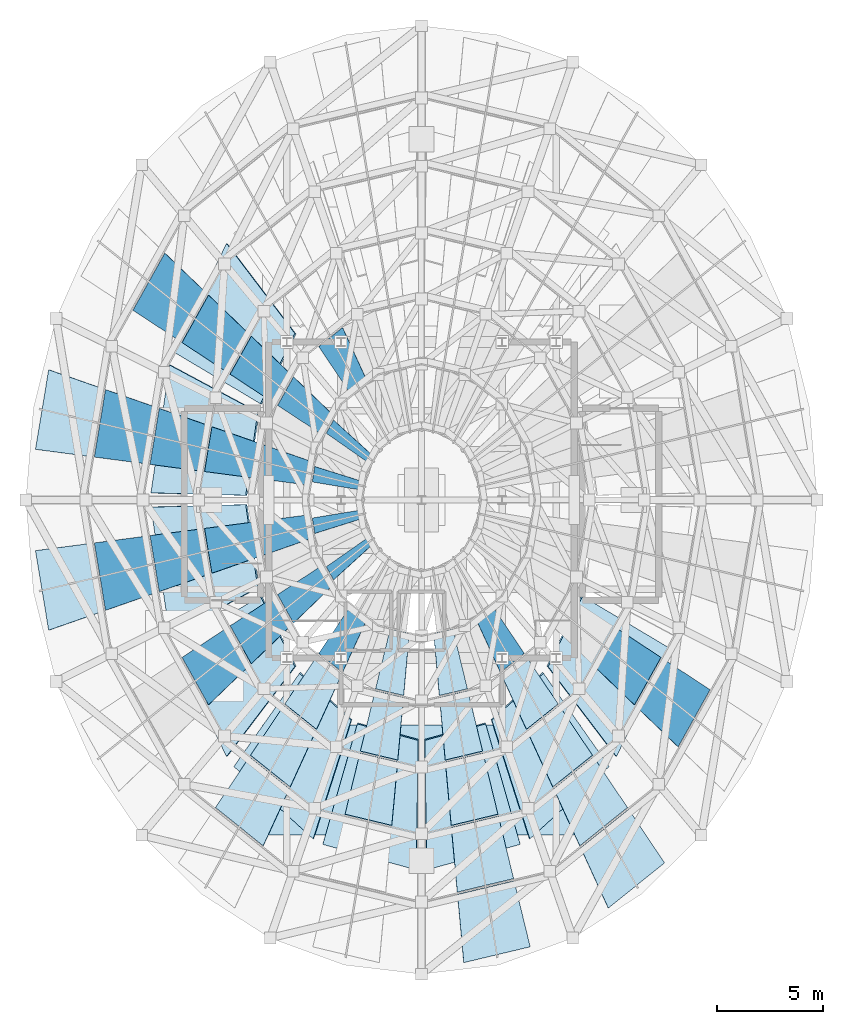
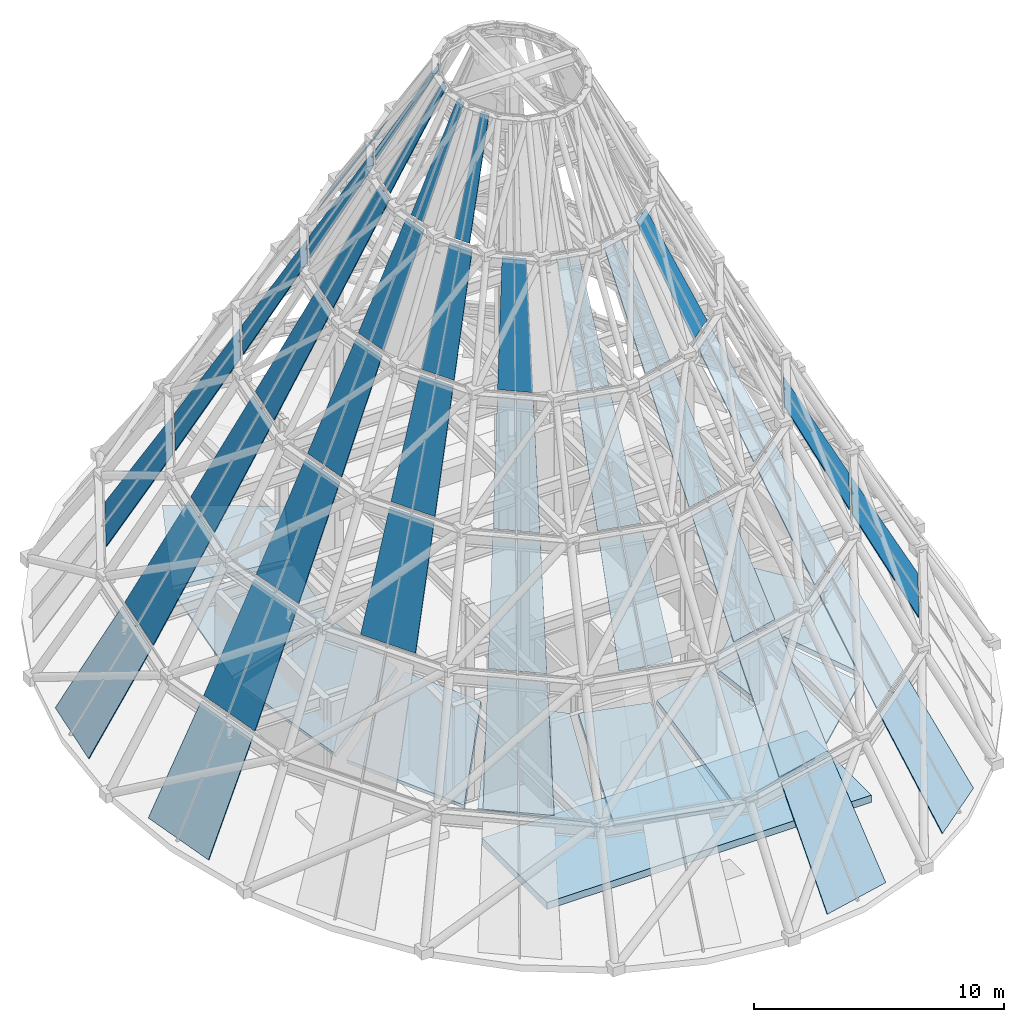
# One storey, part 11 of 16: 41 plates, 10 slabs, 6 elements without a shape of their own.
"""IFC4 building model written with IfcOpenShell, lengths in metres."""

from ifc_helpers import new_model, si_unit, direction, frame, origin, place, context, subcontext, project, spatial, polyline, outline, extrude, material, layer, layer_set, type_object, element, aggregate, save


model = new_model("IFC4")

# Units and contexts
model_context = context("Model", 3, precision=1e-05, world=origin(), true_north=direction((0.0, 1.0)))
body_context = subcontext(model_context, "Body", "Model", "MODEL_VIEW")
ifc_project = project(units=[si_unit("LENGTHUNIT", "METRE"), si_unit("AREAUNIT", "SQUARE_METRE"), si_unit("VOLUMEUNIT", "CUBIC_METRE"), si_unit("PLANEANGLEUNIT", "RADIAN"), si_unit("MASSUNIT", "GRAM", prefix="KILO")], contexts=[model_context])

# Site, building, storey
site_placement = place(None, origin())
site = spatial("IfcSite", under=ifc_project, at=site_placement, CompositionType="ELEMENT")
building_placement = place(site_placement, origin())
building = spatial("IfcBuilding", under=site, at=building_placement, Name="Veldorina Hangang Commons", CompositionType="ELEMENT")
storey_placement = place(building_placement, frame((0.0, 0.0, 308.39990234375)))
storey = spatial("IfcBuildingStorey", under=building, at=storey_placement, Name="Crown", CompositionType="ELEMENT", Elevation=308.39990234375)

# Curtain wall, plates
ifc_material_1 = material(Name="Glass Low-Iron Laminated", Category="glass")
ifc_layer_1 = layer(ifc_material_1, 0.179931640625)
ifc_layer_set_1 = layer_set([ifc_layer_1], Name="Glass Low-Iron Laminated")
curtain_wall_type = type_object("IfcCurtainWallType", Name="CW-SYS-CRN", PredefinedType="NOTDEFINED", material=ifc_layer_set_1)
curtain_wall_1_placement = place(storey_placement, origin())
curtain_wall_1 = element("IfcCurtainWall", 1, at=curtain_wall_1_placement, inside=storey, type_object=curtain_wall_type, Name="Crown glass-point sloped pyramidal curtain wall tier 1", PredefinedType="NOTDEFINED")
ifc_layer_2 = layer(ifc_material_1, 0.035888671875)
ifc_layer_set_2 = layer_set([ifc_layer_2], Name="Glass Low-Iron Laminated")
plate_type = type_object("IfcPlateType", Name="CW-PNL-CRN", PredefinedType="CURTAIN_PANEL", material=ifc_layer_set_2)
plate_1_placement = place(storey_placement, frame((14.42578125, 30.139404296875, 0.09619140625), z_axis=(-0.852111766487, 0.141445228099, 0.503883701723), x_axis=(-0.16375582148, -0.986500902639, -4.79698e-06)))
plate_1 = element("IfcPlate", 2, at=plate_1_placement, type_object=plate_type, Name="CW-CRN-T1 sloped laminated glass facet 8", PredefinedType="CURTAIN_PANEL", context=body_context, shape_type="SweptSolid", body=[
    extrude(outline(polyline([(0.0, 0.0), (3.802978515625, 0.0), (3.711669921875, 5.334716796875), (0.4658203125, 5.334716796875), (0.0, 0.0)])), origin(), (0.0, 0.0, -1.0), 0.035888671875),
])
plate_2_placement = place(storey_placement, frame((13.802978515625, 21.6123046875, 0.09619140625), z_axis=(-0.852111766487, -0.141445228099, 0.503883701723), x_axis=(0.16375582148, -0.986500902639, 4.79698e-06)))
plate_2 = element("IfcPlate", 3, at=plate_2_placement, type_object=plate_type, Name="CW-CRN-T1 sloped laminated glass facet 9", PredefinedType="CURTAIN_PANEL", context=body_context, shape_type="SweptSolid", body=[
    extrude(outline(polyline([(0.0, 0.0), (3.802978515625, 0.0), (3.33740234375, 5.334716796875), (0.09130859375, 5.334716796875), (0.0, 0.0)])), origin(), (0.0, 0.0, -1.0), 0.035888671875),
])
plate_3_placement = place(storey_placement, frame((33.9921875, 2.19287109375, 0.09619140625), z_axis=(0.19088125261, -0.800892584871, 0.567569744526), x_axis=(0.972750279319, 0.231855329204, 2.0124626e-05)))
plate_3 = element("IfcPlate", 4, at=plate_3_placement, type_object=plate_type, Name="CW-CRN-T1 sloped laminated glass facet 13", PredefinedType="CURTAIN_PANEL", context=body_context, shape_type="SweptSolid", body=[
    extrude(outline(polyline([(0.0, 0.0), (3.218505859375, 0.0), (3.2041015625, 5.5966796875), (0.45703125, 5.5966796875), (0.0, 0.0)])), origin(), (0.0, 0.0, -1.0), 0.035888671875),
])
plate_4_placement = place(storey_placement, frame((40.80419921875, 4.7666015625, 0.09619140625), z_axis=(0.523450971717, -0.653737869914, 0.546466721447), x_axis=(0.780603142251, 0.625026986828, -6.701832e-06)))
plate_4 = element("IfcPlate", 5, at=plate_4_placement, type_object=plate_type, Name="CW-CRN-T1 sloped laminated glass facet 14", PredefinedType="CURTAIN_PANEL", context=body_context, shape_type="SweptSolid", body=[
    extrude(outline(polyline([(0.0, 0.0), (3.400390625, 0.0), (3.656494140625, 5.502197265625), (0.75439453125, 5.502197265625), (0.0, 0.0)])), origin(), (0.0, 0.0, -1.0), 0.035888671875),
])
aggregate(curtain_wall_1, [plate_1, plate_2, plate_3, plate_4])

curtain_wall_2_placement = place(storey_placement, origin())
curtain_wall_2 = element("IfcCurtainWall", 6, at=curtain_wall_2_placement, inside=storey, type_object=curtain_wall_type, Name="Crown glass-point sloped pyramidal curtain wall tier 2", PredefinedType="NOTDEFINED")
plate_5_placement = place(storey_placement, frame((19.90087890625, 35.6376953125, 4.89599609375), z_axis=(-0.756870414243, 0.422013951937, 0.499050498862), x_axis=(-0.486988648974, -0.873408298409, 6.386499e-06)))
plate_5 = element("IfcPlate", 7, at=plate_5_placement, type_object=plate_type, Name="CW-CRN-T2 sloped laminated glass facet 7", PredefinedType="CURTAIN_PANEL", context=body_context, shape_type="SweptSolid", body=[
    extrude(outline(polyline([(0.0, 0.0), (3.086181640625, 0.0), (3.280029296875, 5.317626953125), (0.698486328125, 5.317626953125), (0.0, 0.0)])), origin(), (0.0, 0.0, -1.0), 0.035888671875),
])
plate_6_placement = place(storey_placement, frame((17.105712890625, 29.203125, 4.89599609375), z_axis=(-0.86387201176, 0.143376751116, 0.482874988519), x_axis=(-0.163737175762, -0.986503997512, -1.2892155e-05)))
plate_6 = element("IfcPlate", 8, at=plate_6_placement, type_object=plate_type, Name="CW-CRN-T2 sloped laminated glass facet 8", PredefinedType="CURTAIN_PANEL", context=body_context, shape_type="SweptSolid", body=[
    extrude(outline(polyline([(0.0, 0.0), (3.22314453125, 0.0), (3.13671875, 5.262451171875), (0.440185546875, 5.26220703125), (0.0, 0.0)])), origin(), (0.0, 0.0, -1.0), 0.035888671875),
])
plate_7_placement = place(storey_placement, frame((16.577880859375, 21.9765625, 4.89599609375), z_axis=(-0.86387201176, -0.143376751116, 0.482874988519), x_axis=(0.163737175762, -0.986503997512, 1.2892155e-05)))
plate_7 = element("IfcPlate", 9, at=plate_7_placement, type_object=plate_type, Name="CW-CRN-T2 sloped laminated glass facet 9", PredefinedType="CURTAIN_PANEL", context=body_context, shape_type="SweptSolid", body=[
    extrude(outline(polyline([(0.0, 0.0), (3.22314453125, 0.0), (2.782958984375, 5.26220703125), (0.08642578125, 5.262451171875), (0.0, 0.0)])), origin(), (0.0, 0.0, -1.0), 0.035888671875),
])
plate_8_placement = place(storey_placement, frame((22.288818359375, 9.500732421875, 4.89599609375), z_axis=(-0.531988143177, -0.664376631649, 0.524968862732), x_axis=(0.780589159921, -0.625044449149, -1.42482e-06)))
plate_8 = element("IfcPlate", 10, at=plate_8_placement, type_object=plate_type, Name="CW-CRN-T2 sloped laminated glass facet 11", PredefinedType="CURTAIN_PANEL", context=body_context, shape_type="SweptSolid", body=[
    extrude(outline(polyline([(0.0, 0.0), (2.8818359375, 0.0), (2.16845703125, 5.414306640625), (-0.242431640625, 5.414306640625), (0.0, 0.0)])), origin(), (0.0, 0.0, -1.0), 0.035888671875),
])
plate_9_placement = place(storey_placement, frame((33.6884765625, 5.518310546875, 4.89599609375), z_axis=(0.194323465566, -0.814982569707, 0.545932048705), x_axis=(0.972732985938, 0.23192787213, -1.4052451e-05)))
plate_9 = element("IfcPlate", 11, at=plate_9_placement, type_object=plate_type, Name="CW-CRN-T2 sloped laminated glass facet 13", PredefinedType="CURTAIN_PANEL", context=body_context, shape_type="SweptSolid", body=[
    extrude(outline(polyline([(0.0, 0.0), (2.727783203125, 0.0), (2.7138671875, 5.500244140625), (0.43212890625, 5.5), (0.0, 0.0)])), origin(), (0.0, 0.0, -1.0), 0.035888671875),
])
plate_10_placement = place(storey_placement, frame((39.461669921875, 7.699462890625, 4.89599609375), z_axis=(0.531988143177, -0.664376631649, 0.524968862732), x_axis=(0.780589159921, 0.625044449149, 1.42482e-06)))
plate_10 = element("IfcPlate", 12, at=plate_10_placement, type_object=plate_type, Name="CW-CRN-T2 sloped laminated glass facet 14", PredefinedType="CURTAIN_PANEL", context=body_context, shape_type="SweptSolid", body=[
    extrude(outline(polyline([(0.0, 0.0), (2.8818359375, 0.0), (3.1240234375, 5.414306640625), (0.71337890625, 5.414306640625), (0.0, 0.0)])), origin(), (0.0, 0.0, -1.0), 0.035888671875),
])
plate_11_placement = place(storey_placement, frame((44.09912109375, 12.3623046875, 4.89599609375), z_axis=(0.756870414243, -0.422013951937, 0.499050498862), x_axis=(0.486988648974, 0.873408298409, 6.386499e-06)))
plate_11 = element("IfcPlate", 13, at=plate_11_placement, type_object=plate_type, Name="CW-CRN-T2 sloped laminated glass facet 15", PredefinedType="CURTAIN_PANEL", context=body_context, shape_type="SweptSolid", body=[
    extrude(outline(polyline([(0.0, 0.0), (3.086181640625, 0.0), (3.280029296875, 5.317626953125), (0.698486328125, 5.317626953125), (0.0, 0.0)])), origin(), (0.0, 0.0, -1.0), 0.035888671875),
])
aggregate(curtain_wall_2, [plate_5, plate_6, plate_7, plate_8, plate_9, plate_10, plate_11])

curtain_wall_3_placement = place(storey_placement, origin())
curtain_wall_3 = element("IfcCurtainWall", 14, at=curtain_wall_3_placement, inside=storey, type_object=curtain_wall_type, Name="Crown glass-point sloped pyramidal curtain wall tier 3", PredefinedType="NOTDEFINED")
plate_12_placement = place(storey_placement, frame((21.960205078125, 33.656982421875, 9.696044921875), z_axis=(-0.760788027397, 0.424161036474, 0.491211759333), x_axis=(-0.486957862604, -0.873425463357, 2.724088e-06)))
plate_12 = element("IfcPlate", 15, at=plate_12_placement, type_object=plate_type, Name="CW-CRN-T3 sloped laminated glass facet 7", PredefinedType="CURTAIN_PANEL", context=body_context, shape_type="SweptSolid", body=[
    extrude(outline(polyline([(0.0, 0.0), (2.56103515625, 0.0), (2.7509765625, 5.290283203125), (0.683837890625, 5.29052734375), (0.0, 0.0)])), origin(), (0.0, 0.0, -1.0), 0.035888671875),
])
plate_13_placement = place(storey_placement, frame((19.640869140625, 28.317626953125, 9.696044921875), z_axis=(-0.868037690478, 0.144102524068, 0.47512633106), x_axis=(-0.163766902225, -0.986499063218, 2.444437e-06)))
plate_13 = element("IfcPlate", 16, at=plate_13_placement, type_object=plate_type, Name="CW-CRN-T3 sloped laminated glass facet 8", PredefinedType="CURTAIN_PANEL", context=body_context, shape_type="SweptSolid", body=[
    extrude(outline(polyline([(0.0, 0.0), (2.674560546875, 0.0), (2.58984375, 5.237060546875), (0.431396484375, 5.237060546875), (0.0, 0.0)])), origin(), (0.0, 0.0, -1.0), 0.035888671875),
])
plate_14_placement = place(storey_placement, frame((19.202880859375, 22.32080078125, 9.696044921875), z_axis=(-0.868037690478, -0.144102524068, 0.47512633106), x_axis=(0.163766902225, -0.986499063218, -2.444437e-06)))
plate_14 = element("IfcPlate", 17, at=plate_14_placement, type_object=plate_type, Name="CW-CRN-T3 sloped laminated glass facet 9", PredefinedType="CURTAIN_PANEL", context=body_context, shape_type="SweptSolid", body=[
    extrude(outline(polyline([(0.0, 0.0), (2.674560546875, 0.0), (2.2431640625, 5.237060546875), (0.084716796875, 5.237060546875), (0.0, 0.0)])), origin(), (0.0, 0.0, -1.0), 0.035888671875),
])
plate_15_placement = place(storey_placement, frame((20.713134765625, 16.579833984375, 9.696044921875), z_axis=(-0.760788027397, -0.424161036474, 0.491211759333), x_axis=(0.486957862604, -0.873425463357, -2.724088e-06)))
plate_15 = element("IfcPlate", 18, at=plate_15_placement, type_object=plate_type, Name="CW-CRN-T3 sloped laminated glass facet 10", PredefinedType="CURTAIN_PANEL", context=body_context, shape_type="SweptSolid", body=[
    extrude(outline(polyline([(0.0, 0.0), (2.56103515625, 0.0), (1.876953125, 5.29052734375), (-0.18994140625, 5.290283203125), (0.0, 0.0)])), origin(), (0.0, 0.0, -1.0), 0.035888671875),
])
plate_16_placement = place(storey_placement, frame((23.94189453125, 11.968505859375, 9.696044921875), z_axis=(-0.535002377224, -0.668196785729, 0.516996626591), x_axis=(0.780603073659, -0.625027071706, -3.2070288e-05)))
plate_16 = element("IfcPlate", 19, at=plate_16_placement, type_object=plate_type, Name="CW-CRN-T3 sloped laminated glass facet 11", PredefinedType="CURTAIN_PANEL", context=body_context, shape_type="SweptSolid", body=[
    extrude(outline(polyline([(0.0, 0.0), (2.39111328125, 0.0), (1.6923828125, 5.383544921875), (-0.237548828125, 5.38330078125), (0.0, 0.0)])), origin(), (0.0, 0.0, -1.0), 0.035888671875),
])
plate_17_placement = place(storey_placement, frame((28.397216796875, 9.188720703125, 9.696044921875), z_axis=(-0.195447476594, -0.820034005811, 0.537907532208), x_axis=(0.972754896713, -0.231835956301, 1.695825e-05)))
plate_17 = element("IfcPlate", 20, at=plate_17_placement, type_object=plate_type, Name="CW-CRN-T3 sloped laminated glass facet 12", PredefinedType="CURTAIN_PANEL", context=body_context, shape_type="SweptSolid", body=[
    extrude(outline(polyline([(0.0, 0.0), (2.263427734375, 0.0), (1.840576171875, 5.46630859375), (0.013916015625, 5.46630859375), (0.0, 0.0)])), origin(), (0.0, 0.0, -1.0), 0.035888671875),
])
plate_18_placement = place(storey_placement, frame((33.401123046875, 8.6640625, 9.696044921875), z_axis=(0.195447476594, -0.820034005811, 0.537907532208), x_axis=(0.972754896713, 0.231835956301, -1.695825e-05)))
plate_18 = element("IfcPlate", 21, at=plate_18_placement, type_object=plate_type, Name="CW-CRN-T3 sloped laminated glass facet 13", PredefinedType="CURTAIN_PANEL", context=body_context, shape_type="SweptSolid", body=[
    extrude(outline(polyline([(0.0, 0.0), (2.263427734375, 0.0), (2.24951171875, 5.46630859375), (0.4228515625, 5.46630859375), (0.0, 0.0)])), origin(), (0.0, 0.0, -1.0), 0.035888671875),
])
plate_19_placement = place(storey_placement, frame((38.191650390625, 10.473876953125, 9.696044921875), z_axis=(0.535002377224, -0.668196785729, 0.516996626591), x_axis=(0.780603073659, 0.625027071706, 3.2070288e-05)))
plate_19 = element("IfcPlate", 22, at=plate_19_placement, type_object=plate_type, Name="CW-CRN-T3 sloped laminated glass facet 14", PredefinedType="CURTAIN_PANEL", context=body_context, shape_type="SweptSolid", body=[
    extrude(outline(polyline([(0.0, 0.0), (2.39111328125, 0.0), (2.628662109375, 5.38330078125), (0.69873046875, 5.383544921875), (0.0, 0.0)])), origin(), (0.0, 0.0, -1.0), 0.035888671875),
])
plate_20_placement = place(storey_placement, frame((42.039794921875, 14.343017578125, 9.696044921875), z_axis=(0.760788027397, -0.424161036474, 0.491211759333), x_axis=(0.486957862604, 0.873425463357, 2.724088e-06)))
plate_20 = element("IfcPlate", 23, at=plate_20_placement, type_object=plate_type, Name="CW-CRN-T3 sloped laminated glass facet 15", PredefinedType="CURTAIN_PANEL", context=body_context, shape_type="SweptSolid", body=[
    extrude(outline(polyline([(0.0, 0.0), (2.56103515625, 0.0), (2.7509765625, 5.290283203125), (0.683837890625, 5.29052734375), (0.0, 0.0)])), origin(), (0.0, 0.0, -1.0), 0.035888671875),
])
aggregate(curtain_wall_3, [plate_12, plate_13, plate_14, plate_15, plate_16, plate_17, plate_18, plate_19, plate_20])

curtain_wall_4_placement = place(storey_placement, origin())
curtain_wall_4 = element("IfcCurtainWall", 24, at=curtain_wall_4_placement, inside=storey, type_object=curtain_wall_type, Name="Crown glass-point sloped pyramidal curtain wall tier 4", PredefinedType="NOTDEFINED")
plate_21_placement = place(storey_placement, frame((23.97705078125, 31.717041015625, 14.49609375), z_axis=(-0.763246630185, 0.42552478793, 0.486192591849), x_axis=(-0.486949727148, -0.873429999017, 6.945371e-06)))
plate_21 = element("IfcPlate", 25, at=plate_21_placement, type_object=plate_type, Name="CW-CRN-T4 sloped laminated glass facet 7", PredefinedType="CURTAIN_PANEL", context=body_context, shape_type="SweptSolid", body=[
    extrude(outline(polyline([(0.0, 0.0), (2.046630859375, 0.0), (2.234130859375, 5.273193359375), (0.6748046875, 5.273193359375), (0.0, 0.0)])), origin(), (0.0, 0.0, -1.0), 0.035888671875),
])
plate_22_placement = place(storey_placement, frame((22.12353515625, 27.4501953125, 14.49609375), z_axis=(-0.870666217014, 0.144481611328, 0.470175927222), x_axis=(-0.163702835004, -0.986509696756, 4.216528e-06)))
plate_22 = element("IfcPlate", 26, at=plate_22_placement, type_object=plate_type, Name="CW-CRN-T4 sloped laminated glass facet 8", PredefinedType="CURTAIN_PANEL", context=body_context, shape_type="SweptSolid", body=[
    extrude(outline(polyline([(0.0, 0.0), (2.13720703125, 0.0), (2.053955078125, 5.220947265625), (0.425537109375, 5.220947265625), (0.0, 0.0)])), origin(), (0.0, 0.0, -1.0), 0.035888671875),
])
plate_23_placement = place(storey_placement, frame((21.773681640625, 22.658203125, 14.49609375), z_axis=(-0.870666217014, -0.144481611328, 0.470175927222), x_axis=(0.163702835004, -0.986509696756, -4.216528e-06)))
plate_23 = element("IfcPlate", 27, at=plate_23_placement, type_object=plate_type, Name="CW-CRN-T4 sloped laminated glass facet 9", PredefinedType="CURTAIN_PANEL", context=body_context, shape_type="SweptSolid", body=[
    extrude(outline(polyline([(0.0, 0.0), (2.13720703125, 0.0), (1.7119140625, 5.220947265625), (0.08349609375, 5.220947265625), (0.0, 0.0)])), origin(), (0.0, 0.0, -1.0), 0.035888671875),
])
plate_24_placement = place(storey_placement, frame((22.98046875, 18.070556640625, 14.49609375), z_axis=(-0.763246630185, -0.42552478793, 0.486192591849), x_axis=(0.486949727148, -0.873429999017, -6.945371e-06)))
plate_24 = element("IfcPlate", 28, at=plate_24_placement, type_object=plate_type, Name="CW-CRN-T4 sloped laminated glass facet 10", PredefinedType="CURTAIN_PANEL", context=body_context, shape_type="SweptSolid", body=[
    extrude(outline(polyline([(0.0, 0.0), (2.046630859375, 0.0), (1.371826171875, 5.273193359375), (-0.1875, 5.273193359375), (0.0, 0.0)])), origin(), (0.0, 0.0, -1.0), 0.035888671875),
])
plate_25_placement = place(storey_placement, frame((25.560546875, 14.385498046875, 14.49609375), z_axis=(-0.53694169916, -0.670569723838, 0.511888520262), x_axis=(0.780586711674, -0.625047506427, -1.6367749e-05)))
plate_25 = element("IfcPlate", 29, at=plate_25_placement, type_object=plate_type, Name="CW-CRN-T4 sloped laminated glass facet 11", PredefinedType="CURTAIN_PANEL", context=body_context, shape_type="SweptSolid", body=[
    extrude(outline(polyline([(0.0, 0.0), (1.91064453125, 0.0), (1.2216796875, 5.364013671875), (-0.234130859375, 5.364013671875), (0.0, 0.0)])), origin(), (0.0, 0.0, -1.0), 0.035888671875),
])
plate_26_placement = place(storey_placement, frame((29.12109375, 12.164306640625, 14.49609375), z_axis=(-0.19626957727, -0.823204014874, 0.532741403435), x_axis=(0.972735215517, -0.231918521206, 3.888876e-06)))
plate_26 = element("IfcPlate", 30, at=plate_26_placement, type_object=plate_type, Name="CW-CRN-T4 sloped laminated glass facet 12", PredefinedType="CURTAIN_PANEL", context=body_context, shape_type="SweptSolid", body=[
    extrude(outline(polyline([(0.0, 0.0), (1.80859375, 0.0), (1.39111328125, 5.44482421875), (0.01318359375, 5.44482421875), (0.0, 0.0)])), origin(), (0.0, 0.0, -1.0), 0.035888671875),
])
plate_27_placement = place(storey_placement, frame((33.11962890625, 11.744873046875, 14.49609375), z_axis=(0.19626957727, -0.823204014874, 0.532741403435), x_axis=(0.972735215517, 0.231918521206, -3.888876e-06)))
plate_27 = element("IfcPlate", 31, at=plate_27_placement, type_object=plate_type, Name="CW-CRN-T4 sloped laminated glass facet 13", PredefinedType="CURTAIN_PANEL", context=body_context, shape_type="SweptSolid", body=[
    extrude(outline(polyline([(0.0, 0.0), (1.80859375, 0.0), (1.79541015625, 5.44482421875), (0.41748046875, 5.44482421875), (0.0, 0.0)])), origin(), (0.0, 0.0, -1.0), 0.035888671875),
])
plate_28_placement = place(storey_placement, frame((36.947998046875, 13.191162109375, 14.49609375), z_axis=(0.53694169916, -0.670569723838, 0.511888520262), x_axis=(0.780586711674, 0.625047506427, 1.6367749e-05)))
plate_28 = element("IfcPlate", 32, at=plate_28_placement, type_object=plate_type, Name="CW-CRN-T4 sloped laminated glass facet 14", PredefinedType="CURTAIN_PANEL", context=body_context, shape_type="SweptSolid", body=[
    extrude(outline(polyline([(0.0, 0.0), (1.91064453125, 0.0), (2.144775390625, 5.364013671875), (0.68896484375, 5.364013671875), (0.0, 0.0)])), origin(), (0.0, 0.0, -1.0), 0.035888671875),
])
aggregate(curtain_wall_4, [plate_21, plate_22, plate_23, plate_24, plate_25, plate_26, plate_27, plate_28])

curtain_wall_5_placement = place(storey_placement, origin())
curtain_wall_5 = element("IfcCurtainWall", 33, at=curtain_wall_5_placement, inside=storey, type_object=curtain_wall_type, Name="Crown glass-point sloped pyramidal curtain wall tier 5", PredefinedType="NOTDEFINED")
plate_29_placement = place(storey_placement, frame((28.279296875, 32.128173828125, 19.296142578125), z_axis=(-0.538348883576, 0.672328683099, 0.508089186497), x_axis=(-0.780583256066, -0.625051821511, 2.7836813e-05)))
plate_29 = element("IfcPlate", 34, at=plate_29_placement, type_object=plate_type, Name="CW-CRN-T5 sloped laminated glass facet 6", PredefinedType="CURTAIN_PANEL", context=body_context, shape_type="SweptSolid", body=[
    extrude(outline(polyline([(0.0, 0.0), (1.43701171875, 0.0), (1.668701171875, 5.349853515625), (0.682373046875, 5.349853515625), (0.0, 0.0)])), origin(), (0.0, 0.0, -1.0), 0.035888671875),
])
plate_30_placement = place(storey_placement, frame((25.966796875, 29.802978515625, 19.296142578125), z_axis=(-0.765045457807, 0.426563310185, 0.482440866733), x_axis=(-0.486972856271, -0.873417103511, 2.3462109e-05)))
plate_30 = element("IfcPlate", 35, at=plate_30_placement, type_object=plate_type, Name="CW-CRN-T5 sloped laminated glass facet 7", PredefinedType="CURTAIN_PANEL", context=body_context, shape_type="SweptSolid", body=[
    extrude(outline(polyline([(0.0, 0.0), (1.538818359375, 0.0), (1.724365234375, 5.260498046875), (0.667724609375, 5.2607421875), (0.0, 0.0)])), origin(), (0.0, 0.0, -1.0), 0.035888671875),
])
plate_31_placement = place(storey_placement, frame((24.572998046875, 26.594482421875, 19.296142578125), z_axis=(-0.872590773665, 0.144834294396, 0.466485121822), x_axis=(-0.163745353461, -0.986502640225, -7.011677e-06)))
plate_31 = element("IfcPlate", 36, at=plate_31_placement, type_object=plate_type, Name="CW-CRN-T5 sloped laminated glass facet 8", PredefinedType="CURTAIN_PANEL", context=body_context, shape_type="SweptSolid", body=[
    extrude(outline(polyline([(0.0, 0.0), (1.607177734375, 0.0), (1.5244140625, 5.20947265625), (0.4208984375, 5.20947265625), (0.0, 0.0)])), origin(), (0.0, 0.0, -1.0), 0.035888671875),
])
plate_32_placement = place(storey_placement, frame((24.309814453125, 22.990966796875, 19.296142578125), z_axis=(-0.872590773665, -0.144834294396, 0.466485121822), x_axis=(0.163745353461, -0.986502640225, 7.011677e-06)))
plate_32 = element("IfcPlate", 37, at=plate_32_placement, type_object=plate_type, Name="CW-CRN-T5 sloped laminated glass facet 9", PredefinedType="CURTAIN_PANEL", context=body_context, shape_type="SweptSolid", body=[
    extrude(outline(polyline([(0.0, 0.0), (1.607177734375, 0.0), (1.186279296875, 5.20947265625), (0.082763671875, 5.20947265625), (0.0, 0.0)])), origin(), (0.0, 0.0, -1.0), 0.035888671875),
])
plate_33_placement = place(storey_placement, frame((25.217529296875, 19.541015625, 19.296142578125), z_axis=(-0.765045457807, -0.426563310185, 0.482440866733), x_axis=(0.486972856271, -0.873417103511, -2.3462109e-05)))
plate_33 = element("IfcPlate", 38, at=plate_33_placement, type_object=plate_type, Name="CW-CRN-T5 sloped laminated glass facet 10", PredefinedType="CURTAIN_PANEL", context=body_context, shape_type="SweptSolid", body=[
    extrude(outline(polyline([(0.0, 0.0), (1.538818359375, 0.0), (0.870849609375, 5.2607421875), (-0.185791015625, 5.260498046875), (0.0, 0.0)])), origin(), (0.0, 0.0, -1.0), 0.035888671875),
])
plate_34_placement = place(storey_placement, frame((27.15771484375, 16.77001953125, 19.296142578125), z_axis=(-0.538348883576, -0.672328683099, 0.508089186497), x_axis=(0.780583256066, -0.625051821511, -2.7836813e-05)))
plate_34 = element("IfcPlate", 39, at=plate_34_placement, type_object=plate_type, Name="CW-CRN-T5 sloped laminated glass facet 11", PredefinedType="CURTAIN_PANEL", context=body_context, shape_type="SweptSolid", body=[
    extrude(outline(polyline([(0.0, 0.0), (1.43701171875, 0.0), (0.75439453125, 5.349853515625), (-0.23193359375, 5.349853515625), (0.0, 0.0)])), origin(), (0.0, 0.0, -1.0), 0.035888671875),
])
plate_35_placement = place(storey_placement, frame((29.8349609375, 15.099609375, 19.296142578125), z_axis=(-0.196793170643, -0.825555930634, 0.528894936054), x_axis=(0.972744533051, -0.231879437248, 6.8582e-08)))
plate_35 = element("IfcPlate", 40, at=plate_35_placement, type_object=plate_type, Name="CW-CRN-T5 sloped laminated glass facet 12", PredefinedType="CURTAIN_PANEL", context=body_context, shape_type="SweptSolid", body=[
    extrude(outline(polyline([(0.0, 0.0), (1.3603515625, 0.0), (0.947021484375, 5.429443359375), (0.01318359375, 5.429443359375), (0.0, 0.0)])), origin(), (0.0, 0.0, -1.0), 0.035888671875),
])
plate_36_placement = place(storey_placement, frame((32.841796875, 14.7841796875, 19.296142578125), z_axis=(0.196793170643, -0.825555930634, 0.528894936054), x_axis=(0.972744533051, 0.231879437248, -6.8582e-08)))
plate_36 = element("IfcPlate", 41, at=plate_36_placement, type_object=plate_type, Name="CW-CRN-T5 sloped laminated glass facet 13", PredefinedType="CURTAIN_PANEL", context=body_context, shape_type="SweptSolid", body=[
    extrude(outline(polyline([(0.0, 0.0), (1.3603515625, 0.0), (1.34716796875, 5.429443359375), (0.413330078125, 5.429443359375), (0.0, 0.0)])), origin(), (0.0, 0.0, -1.0), 0.035888671875),
])
plate_37_placement = place(storey_placement, frame((35.720703125, 15.871826171875, 19.296142578125), z_axis=(0.538348883576, -0.672328683099, 0.508089186497), x_axis=(0.780583256066, 0.625051821511, 2.7836813e-05)))
plate_37 = element("IfcPlate", 42, at=plate_37_placement, type_object=plate_type, Name="CW-CRN-T5 sloped laminated glass facet 14", PredefinedType="CURTAIN_PANEL", context=body_context, shape_type="SweptSolid", body=[
    extrude(outline(polyline([(0.0, 0.0), (1.43701171875, 0.0), (1.668701171875, 5.349853515625), (0.682373046875, 5.349853515625), (0.0, 0.0)])), origin(), (0.0, 0.0, -1.0), 0.035888671875),
])
aggregate(curtain_wall_5, [plate_29, plate_30, plate_31, plate_32, plate_33, plate_34, plate_35, plate_36, plate_37])

curtain_wall_6_placement = place(storey_placement, origin())
curtain_wall_6 = element("IfcCurtainWall", 43, at=curtain_wall_6_placement, inside=storey, type_object=curtain_wall_type, Name="Crown glass-point sloped pyramidal curtain wall tier 6", PredefinedType="NOTDEFINED")
plate_38_placement = place(storey_placement, frame((27.8564453125, 27.764404296875, 24.09619140625), z_axis=(-0.766462935896, 0.427367122869, 0.47947044767), x_axis=(-0.486988056151, -0.873408628821, 1.6346208e-05)))
plate_38 = element("IfcPlate", 44, at=plate_38_placement, type_object=plate_type, Name="CW-CRN-T6 sloped laminated glass facet 7", PredefinedType="CURTAIN_PANEL", context=body_context, shape_type="SweptSolid", body=[
    extrude(outline(polyline([(0.0, 0.0), (0.70703125, 0.0), (0.967041015625, 5.250732421875), (0.58642578125, 5.250732421875), (0.0, 0.0)])), origin(), (0.0, 0.0, -1.0), 0.035888671875),
])
plate_39_placement = place(storey_placement, frame((26.9697265625, 25.577392578125, 24.09619140625), z_axis=(-0.874161423816, 0.144835989121, 0.463534617227), x_axis=(-0.163452072932, -0.986551275786, 9.995041e-06)))
plate_39 = element("IfcPlate", 45, at=plate_39_placement, type_object=plate_type, Name="CW-CRN-T6 sloped laminated glass facet 8", PredefinedType="CURTAIN_PANEL", context=body_context, shape_type="SweptSolid", body=[
    extrude(outline(polyline([(0.0, 0.0), (0.738037109375, 0.0), (0.736083984375, 5.200439453125), (0.3388671875, 5.200439453125), (0.0, 0.0)])), origin(), (0.0, 0.0, -1.0), 0.035888671875),
])
plate_40_placement = place(storey_placement, frame((26.84912109375, 23.150634765625, 24.09619140625), z_axis=(-0.874161423816, -0.144835989121, 0.463534617227), x_axis=(0.163452072932, -0.986551275786, -9.995041e-06)))
plate_40 = element("IfcPlate", 46, at=plate_40_placement, type_object=plate_type, Name="CW-CRN-T6 sloped laminated glass facet 9", PredefinedType="CURTAIN_PANEL", context=body_context, shape_type="SweptSolid", body=[
    extrude(outline(polyline([(0.0, 0.0), (0.738037109375, 0.0), (0.399169921875, 5.200439453125), (0.001953125, 5.200439453125), (0.0, 0.0)])), origin(), (0.0, 0.0, -1.0), 0.035888671875),
])
plate_41_placement = place(storey_placement, frame((27.51220703125, 20.85302734375, 24.09619140625), z_axis=(-0.766462935896, -0.427367122869, 0.47947044767), x_axis=(0.486988056151, -0.873408628821, -1.6346208e-05)))
plate_41 = element("IfcPlate", 47, at=plate_41_placement, type_object=plate_type, Name="CW-CRN-T6 sloped laminated glass facet 10", PredefinedType="CURTAIN_PANEL", context=body_context, shape_type="SweptSolid", body=[
    extrude(outline(polyline([(0.0, 0.0), (0.70703125, 0.0), (0.120361328125, 5.250732421875), (-0.260009765625, 5.250732421875), (0.0, 0.0)])), origin(), (0.0, 0.0, -1.0), 0.035888671875),
])
aggregate(curtain_wall_6, [plate_38, plate_39, plate_40, plate_41])

# Slabs
ifc_material_2 = material(Name="Concrete C45/55", Category="concrete")
ifc_layer_3 = layer(ifc_material_2, 0.219970703125)
ifc_layer_set_3 = layer_set([ifc_layer_3], Name="Concrete C45/55")
slab_type_1 = type_object("IfcSlabType", Name="RF-CRN-SLOPE", PredefinedType="ROOF", material=ifc_layer_set_3)
slab_1_placement = place(storey_placement, frame((22.810302734375, 36.090576171875, 3.4501953125), z_axis=(-0.254089687343, 0.124178949216, 0.959175697856), x_axis=(-0.439106177953, -0.89843517543, -5.854446e-06)))
element("IfcSlab", 48, at=slab_1_placement, inside=storey, type_object=slab_type_1, Name="Crown sloped BMU weather roof facet 07", PredefinedType="ROOF", context=body_context, shape_type="SweptSolid", body=[
    extrude(outline(polyline([(0.0, 0.0), (5.687255859375, 0.0), (6.086181640625, 4.9501953125), (2.3896484375, 4.949951171875), (0.0, 0.0)])), origin(), (0.0, 0.0, -1.0), 0.219970703125),
])
slab_2_placement = place(storey_placement, frame((20.12548828125, 30.362060546875, 3.4501953125), z_axis=(-0.297982079233, 0.043341118899, 0.953587032142), x_axis=(-0.143939984854, -0.989586419044, -1.838661e-06)))
element("IfcSlab", 49, at=slab_2_placement, inside=storey, type_object=slab_type_1, Name="Crown sloped BMU weather roof facet 08", PredefinedType="ROOF", context=body_context, shape_type="SweptSolid", body=[
    extrude(outline(polyline([(0.0, 0.0), (6.0908203125, 0.0), (5.564453125, 4.649169921875), (1.605224609375, 4.64892578125), (0.0, 0.0)])), origin(), (0.0, 0.0, -1.0), 0.219970703125),
])
slab_3_placement = place(storey_placement, frame((19.248779296875, 23.665283203125, 3.4501953125), z_axis=(-0.297982079233, -0.043341118899, 0.953587032142), x_axis=(0.143939984854, -0.989586419044, 1.838661e-06)))
element("IfcSlab", 50, at=slab_3_placement, inside=storey, type_object=slab_type_1, Name="Crown sloped BMU weather roof facet 09", PredefinedType="ROOF", context=body_context, shape_type="SweptSolid", body=[
    extrude(outline(polyline([(0.0, 0.0), (6.0908203125, 0.0), (4.485595703125, 4.64892578125), (0.5263671875, 4.649169921875), (0.0, 0.0)])), origin(), (0.0, 0.0, -1.0), 0.219970703125),
])
slab_4_placement = place(storey_placement, frame((20.31298828125, 17.01904296875, 3.4501953125), z_axis=(-0.254089687343, -0.124178949216, 0.959175697856), x_axis=(0.439106177953, -0.89843517543, 5.854446e-06)))
element("IfcSlab", 51, at=slab_4_placement, inside=storey, type_object=slab_type_1, Name="Crown sloped BMU weather roof facet 10", PredefinedType="ROOF", context=body_context, shape_type="SweptSolid", body=[
    extrude(outline(polyline([(0.0, 0.0), (5.687255859375, 0.0), (3.297607421875, 4.949951171875), (-0.39892578125, 4.9501953125), (0.0, 0.0)])), origin(), (0.0, 0.0, -1.0), 0.219970703125),
])
slab_5_placement = place(storey_placement, frame((23.156494140625, 11.435791015625, 3.4501953125), z_axis=(-0.171195247668, -0.18740663781, 0.96724916091), x_axis=(0.738335061873, -0.674434086008, 6.233446e-06)))
element("IfcSlab", 52, at=slab_5_placement, inside=storey, type_object=slab_type_1, Name="Crown sloped BMU weather roof facet 11", PredefinedType="ROOF", context=body_context, shape_type="SweptSolid", body=[
    extrude(outline(polyline([(0.0, 0.0), (5.06201171875, 0.0), (2.60986328125, 5.51513671875), (-0.680419921875, 5.515380859375), (0.0, 0.0)])), origin(), (0.0, 0.0, -1.0), 0.219970703125),
])
slab_6_placement = place(storey_placement, frame((27.3466796875, 7.765380859375, 3.4501953125), z_axis=(-0.060479248421, -0.22240418754, 0.973076892067), x_axis=(0.964961872153, -0.262390139446, 3.599922e-06)))
element("IfcSlab", 53, at=slab_6_placement, inside=storey, type_object=slab_type_1, Name="Crown sloped BMU weather roof facet 12", PredefinedType="ROOF", context=body_context, shape_type="SweptSolid", body=[
    extrude(outline(polyline([(0.0, 0.0), (4.568603515625, 0.0), (3.05029296875, 6.07373046875), (0.08056640625, 6.073974609375), (0.0, 0.0)])), origin(), (0.0, 0.0, -1.0), 0.219970703125),
])
slab_7_placement = place(storey_placement, frame((32.244873046875, 6.566650390625, 3.4501953125), z_axis=(0.060479248421, -0.22240418754, 0.973076892067), x_axis=(0.964961872153, 0.262390139446, -3.599922e-06)))
element("IfcSlab", 54, at=slab_7_placement, inside=storey, type_object=slab_type_1, Name="Crown sloped BMU weather roof facet 13", PredefinedType="ROOF", context=body_context, shape_type="SweptSolid", body=[
    extrude(outline(polyline([(0.0, 0.0), (4.568603515625, 0.0), (4.48779296875, 6.073974609375), (1.518310546875, 6.07373046875), (0.0, 0.0)])), origin(), (0.0, 0.0, -1.0), 0.219970703125),
])
slab_8_placement = place(storey_placement, frame((37.10595703125, 8.021728515625, 3.4501953125), z_axis=(0.171195247668, -0.18740663781, 0.96724916091), x_axis=(0.738335061873, 0.674434086008, -6.233446e-06)))
element("IfcSlab", 55, at=slab_8_placement, inside=storey, type_object=slab_type_1, Name="Crown sloped BMU weather roof facet 14", PredefinedType="ROOF", context=body_context, shape_type="SweptSolid", body=[
    extrude(outline(polyline([(0.0, 0.0), (5.06201171875, 0.0), (5.74267578125, 5.515380859375), (2.452392578125, 5.51513671875), (0.0, 0.0)])), origin(), (0.0, 0.0, -1.0), 0.219970703125),
])
slab_9_placement = place(storey_placement, frame((41.189697265625, 11.909423828125, 3.4501953125), z_axis=(0.254089687343, -0.124178949216, 0.959175697856), x_axis=(0.439106177953, 0.89843517543, -5.854446e-06)))
element("IfcSlab", 56, at=slab_9_placement, inside=storey, type_object=slab_type_1, Name="Crown sloped BMU weather roof facet 15", PredefinedType="ROOF", context=body_context, shape_type="SweptSolid", body=[
    extrude(outline(polyline([(0.0, 0.0), (5.687255859375, 0.0), (6.086181640625, 4.9501953125), (2.3896484375, 4.949951171875), (0.0, 0.0)])), origin(), (0.0, 0.0, -1.0), 0.219970703125),
])
ifc_material_3 = material(Name="Concrete C40/50", Category="concrete")
ifc_layer_4 = layer(ifc_material_3, 0.35009765625)
ifc_layer_set_4 = layer_set([ifc_layer_4], Name="Concrete C40/50")
slab_type_2 = type_object("IfcSlabType", Name="SL-BASE-350", PredefinedType="BASESLAB", material=ifc_layer_set_4)
slab_10_placement = place(storey_placement, origin())
element("IfcSlab", 57, at=slab_10_placement, inside=storey, type_object=slab_type_2, Name="Crown mechanical plant concrete plinth 1", PredefinedType="BASESLAB", context=body_context, shape_type="SweptSolid", body=[
    extrude(outline(polyline([(24.5, 8.199951171875), (39.5, 8.199951171875), (39.5, 13.39990234375), (24.5, 13.39990234375), (24.5, 8.199951171875)])), origin(), (0.0, 0.0, 1.0), 0.35009765625),
])

save(model, "model.ifc")
